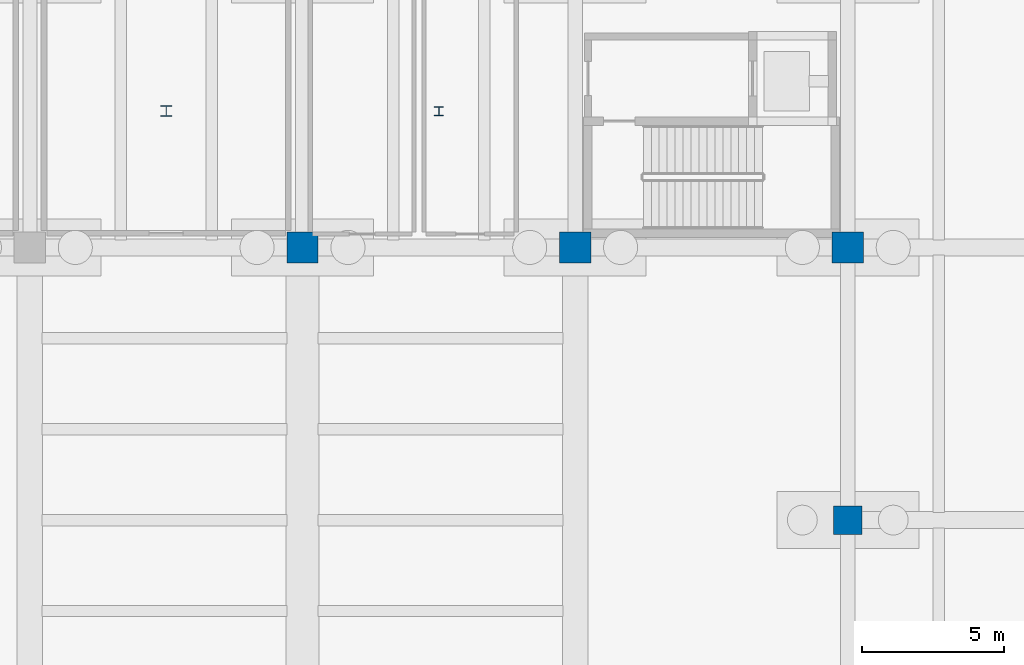
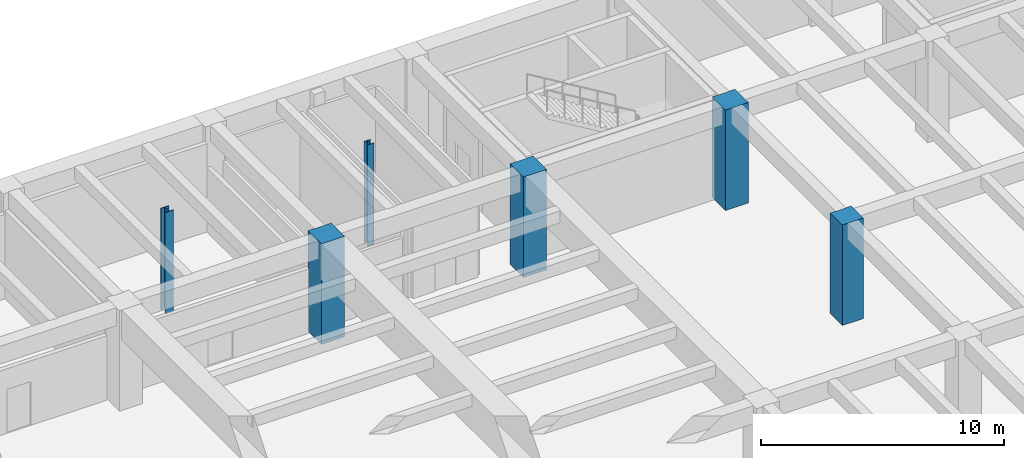
# One storey, part 5 of 24: 6 columns.
"""IFC4 building model written with IfcOpenShell, lengths in metres."""

from ifc_helpers import new_model, si_unit, direction, frame, origin, origin_2d, place, context, subcontext, project, spatial, rectangle, i_section, extrude, material, material_profile, profile_set, type_object, element, save


model = new_model("IFC4")

# Units and contexts
model_context = context("Model", 3, precision=1e-05, world=origin(), true_north=direction((0.0, 1.0)))
body_context = subcontext(model_context, "Body", "Model", "MODEL_VIEW")
ifc_project = project(units=[si_unit("LENGTHUNIT", "METRE"), si_unit("AREAUNIT", "SQUARE_METRE"), si_unit("VOLUMEUNIT", "CUBIC_METRE"), si_unit("PLANEANGLEUNIT", "RADIAN"), si_unit("MASSUNIT", "GRAM", prefix="KILO")], contexts=[model_context])

# Site, building, storey
site_placement = place(None, origin())
site = spatial("IfcSite", under=ifc_project, at=site_placement, CompositionType="ELEMENT")
building_placement = place(site_placement, origin())
building = spatial("IfcBuilding", under=site, at=building_placement, Name="Coralgate Yard Interchange", CompositionType="ELEMENT")
storey_placement = place(building_placement, frame((0.0, 0.0, -10.800048828125)))
storey = spatial("IfcBuildingStorey", under=building, at=storey_placement, Name="B2", CompositionType="ELEMENT", Elevation=-10.800048828125)

# Columns
ifc_material_1 = material(Name="Concrete C40/50", Category="concrete")
ifc_material_profile_1 = material_profile(ifc_material_1, rectangle(XDim=1.10009765625, YDim=1.10009765625, at=origin_2d()), Name="RC 1100x1100")
ifc_profile_set_1 = profile_set([ifc_material_profile_1], Name="Concrete C40/50")
column_type_1 = type_object("IfcColumnType", Name="COL-CC-1", PredefinedType="COLUMN", material=ifc_profile_set_1)
for number, where, z_axis, x_axis, name in (
    (1, (115.199951171875, 67.199951171875, 0.0), (0.0, 0.0, 1.0), (1.0, 0.0, 0.0), "B2 structural column 12-7"),
    (2, (124.800048828125, 67.199951171875, 0.0), (0.0, 0.0, 1.0), (1.0, 0.0, 0.0), "B2 structural column 13-7"),
    (3, (134.39990234375, 67.199951171875, 0.0), (0.0, 0.0, 1.0), (1.0, 0.0, 0.0), "B2 structural column 14-7"),
):
    element("IfcColumn", number, at=place(storey_placement, frame(where, z_axis=z_axis, x_axis=x_axis)), inside=storey, type_object=column_type_1, Name=name, PredefinedType="COLUMN", context=body_context, shape_type="SweptSolid", body=[
        extrude(rectangle(XDim=1.10009765625, YDim=1.10009765625, at=origin_2d()), origin(), (0.0, 0.0, 1.0), 5.050048828125),
    ])
ifc_material_profile_2 = material_profile(ifc_material_1, rectangle(XDim=1.0, YDim=1.0, at=origin_2d()), Name="RC 1000x1000")
ifc_profile_set_2 = profile_set([ifc_material_profile_2], Name="Concrete C40/50")
column_type_2 = type_object("IfcColumnType", Name="COL-CC-2", PredefinedType="COLUMN", material=ifc_profile_set_2)
column_1_placement = place(storey_placement, frame((134.39990234375, 57.60009765625, 0.0), z_axis=(0.0, 0.0, 1.0), x_axis=(1.0, 0.0, 0.0)))
element("IfcColumn", 4, at=column_1_placement, inside=storey, type_object=column_type_2, Name="B2 structural column 14-6", PredefinedType="COLUMN", context=body_context, shape_type="SweptSolid", body=[
    extrude(rectangle(XDim=1.0, YDim=1.0, at=origin_2d()), origin(), (0.0, 0.0, 1.0), 5.050048828125),
])
ifc_material_2 = material(Name="Structural steel S355J2", Category="steel")
ifc_material_profile_3 = material_profile(ifc_material_2, i_section(OverallWidth=0.394775390625, OverallDepth=0.381103515625, WebThickness=0.018310546875, FlangeThickness=0.0302734375, FilletRadius=0.01513671875, at=origin_2d()), Name="UC 356x406x235")
ifc_profile_set_3 = profile_set([ifc_material_profile_3], Name="Structural steel S355J2")
column_type_3 = type_object("IfcColumnType", Name="COL-SC-2", PredefinedType="COLUMN", material=ifc_profile_set_3)
column_2_placement = place(storey_placement, frame((110.39990234375, 72.0, -0.050048828125), z_axis=(0.0, 0.0, 1.0), x_axis=(1.0, 0.0, 0.0)))
element("IfcColumn", 5, at=column_2_placement, inside=storey, type_object=column_type_3, Name="B2 substation equipment steel stanchion 3", PredefinedType="COLUMN", context=body_context, shape_type="SweptSolid", body=[
    extrude(i_section(OverallWidth=0.394775390625, OverallDepth=0.381103515625, WebThickness=0.018310546875, FlangeThickness=0.0302734375, FilletRadius=0.01513671875, at=origin_2d()), origin(), (0.0, 0.0, 1.0), 5.10009765625),
])
ifc_material_profile_4 = material_profile(ifc_material_2, i_section(OverallWidth=0.307373046875, OverallDepth=0.314453125, WebThickness=0.011962890625, FlangeThickness=0.018798828125, FilletRadius=0.01513671875, at=origin_2d()), Name="UC 305x305x118")
ifc_profile_set_4 = profile_set([ifc_material_profile_4], Name="Structural steel S355J2")
column_type_4 = type_object("IfcColumnType", Name="COL-SC-6", PredefinedType="COLUMN", material=ifc_profile_set_4)
column_3_placement = place(storey_placement, frame((120.0, 72.0, -0.050048828125), z_axis=(0.0, 0.0, 1.0), x_axis=(1.0, 0.0, 0.0)))
element("IfcColumn", 6, at=column_3_placement, inside=storey, type_object=column_type_4, Name="B2 substation equipment steel stanchion 4", PredefinedType="COLUMN", context=body_context, shape_type="SweptSolid", body=[
    extrude(i_section(OverallWidth=0.307373046875, OverallDepth=0.314453125, WebThickness=0.011962890625, FlangeThickness=0.018798828125, FilletRadius=0.01513671875, at=origin_2d()), origin(), (0.0, 0.0, 1.0), 5.10009765625),
])

save(model, "model.ifc")
